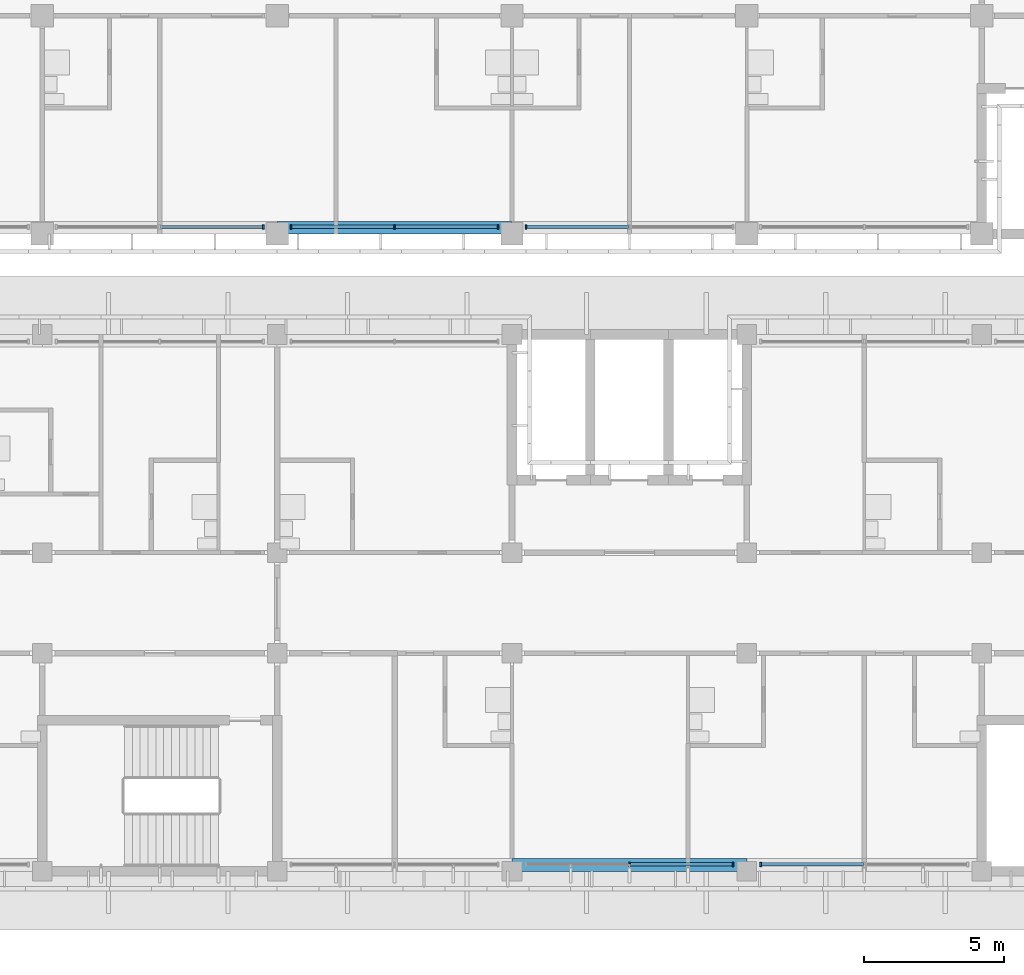
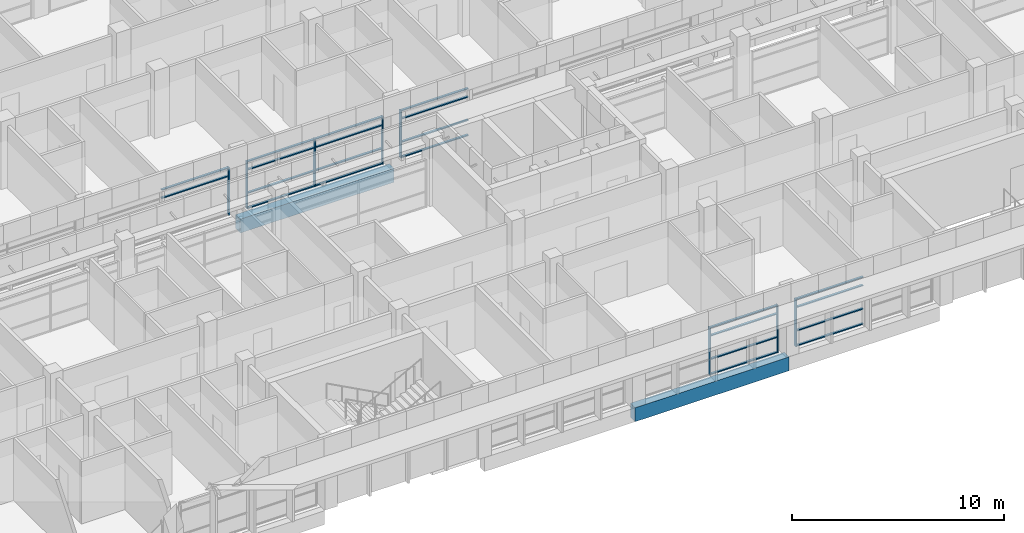
# One storey, part 13 of 71: 30 members, 2 beams, 5 elements without a shape of their own.
"""IFC4 building model written with IfcOpenShell, lengths in metres."""

from ifc_helpers import new_model, si_unit, direction, frame, origin, origin_2d, place, context, subcontext, project, spatial, rectangle, extrude, material, material_profile, profile_set, type_object, element, aggregate, save


model = new_model("IFC4")

# Units and contexts
model_context = context("Model", 3, precision=1e-05, world=origin(), true_north=direction((0.0, 1.0)))
body_context = subcontext(model_context, "Body", "Model", "MODEL_VIEW")
ifc_project = project(units=[si_unit("LENGTHUNIT", "METRE"), si_unit("AREAUNIT", "SQUARE_METRE"), si_unit("VOLUMEUNIT", "CUBIC_METRE"), si_unit("PLANEANGLEUNIT", "RADIAN"), si_unit("MASSUNIT", "GRAM", prefix="KILO")], contexts=[model_context])

# Site, building, storey
site_placement = place(None, origin())
site = spatial("IfcSite", under=ifc_project, at=site_placement, CompositionType="ELEMENT")
building_placement = place(site_placement, origin())
building = spatial("IfcBuilding", under=site, at=building_placement, Name="Bougainvillea Quay General Hospital", CompositionType="ELEMENT")
storey_placement = place(building_placement, frame((0.0, 0.0, 24.89990234375)))
storey = spatial("IfcBuildingStorey", under=building, at=storey_placement, Name="L05", CompositionType="ELEMENT", Elevation=24.89990234375)

# Curtain wall, member
ifc_material_1 = material(Name="Aluminium curtain wall system, powder-coated glazed", Category="aluminium")
curtain_wall_type = type_object("IfcCurtainWallType", Name="Unitised curtain wall CW-3730", PredefinedType="NOTDEFINED", material=ifc_material_1)
curtain_wall_1_placement = place(storey_placement, origin())
curtain_wall_1 = element("IfcCurtainWall", 1, at=curtain_wall_1_placement, inside=storey, type_object=curtain_wall_type, Name="CW-4200 05", PredefinedType="NOTDEFINED")
ifc_material_2 = material(Name="Aluminium mullion, powder-coated charcoal", Category="aluminium")
ifc_material_profile_1 = material_profile(ifc_material_2, rectangle(XDim=0.159912109375, YDim=0.06005859375, at=origin_2d()))
ifc_profile_set_1 = profile_set([ifc_material_profile_1], Name="Aluminium mullion, powder-coated charcoal")
member_type_1 = type_object("IfcMemberType", Name="Curtain wall mullion 160x60", PredefinedType="MULLION", material=ifc_profile_set_1)
member_1_placement = place(storey_placement, frame((125.5, 140.64990234375, 0.0), z_axis=(0.0, 0.0, 1.0), x_axis=(0.0, 1.0, 0.0)))
member_1 = element("IfcMember", 2, at=member_1_placement, type_object=member_type_1, Name="CW-4200 mullion 3", PredefinedType="MULLION", context=body_context, shape_type="SweptSolid", body=[
    extrude(rectangle(XDim=0.159912109375, YDim=0.06005859375, at=origin_2d()), origin(), (0.0, 0.0, 1.0), 2.75),
])

# Curtain wall, members
curtain_wall_2_placement = place(storey_placement, origin())
curtain_wall_2 = element("IfcCurtainWall", 3, at=curtain_wall_2_placement, inside=storey, type_object=curtain_wall_type, Name="CW-4200 06", PredefinedType="NOTDEFINED")
member_2_placement = place(storey_placement, frame((126.5, 140.64990234375, 0.0), z_axis=(0.0, 0.0, 1.0), x_axis=(0.0, 1.0, 0.0)))
member_2 = element("IfcMember", 4, at=member_2_placement, type_object=member_type_1, Name="CW-4200 mullion 1", PredefinedType="MULLION", context=body_context, shape_type="SweptSolid", body=[
    extrude(rectangle(XDim=0.159912109375, YDim=0.06005859375, at=origin_2d()), origin(), (0.0, 0.0, 1.0), 2.75),
])
member_3_placement = place(storey_placement, frame((130.199951171875, 140.64990234375, 0.0), z_axis=(0.0, 0.0, 1.0), x_axis=(0.0, 1.0, 0.0)))
member_3 = element("IfcMember", 5, at=member_3_placement, type_object=member_type_1, Name="CW-4200 mullion 2", PredefinedType="MULLION", context=body_context, shape_type="SweptSolid", body=[
    extrude(rectangle(XDim=0.159912109375, YDim=0.06005859375, at=origin_2d()), origin(), (0.0, 0.0, 1.0), 2.75),
])
member_4_placement = place(storey_placement, frame((133.89990234375, 140.64990234375, 0.0), z_axis=(0.0, 0.0, 1.0), x_axis=(0.0, 1.0, 0.0)))
member_4 = element("IfcMember", 6, at=member_4_placement, type_object=member_type_1, Name="CW-4200 mullion 3", PredefinedType="MULLION", context=body_context, shape_type="SweptSolid", body=[
    extrude(rectangle(XDim=0.159912109375, YDim=0.06005859375, at=origin_2d()), origin(), (0.0, 0.0, 1.0), 2.75),
])

# Curtain wall, member
curtain_wall_3_placement = place(storey_placement, origin())
curtain_wall_3 = element("IfcCurtainWall", 7, at=curtain_wall_3_placement, inside=storey, type_object=curtain_wall_type, Name="CW-4200 07", PredefinedType="NOTDEFINED")
member_5_placement = place(storey_placement, frame((134.89990234375, 140.64990234375, 0.0), z_axis=(0.0, 0.0, 1.0), x_axis=(0.0, 1.0, 0.0)))
member_5 = element("IfcMember", 8, at=member_5_placement, type_object=member_type_1, Name="CW-4200 mullion 1", PredefinedType="MULLION", context=body_context, shape_type="SweptSolid", body=[
    extrude(rectangle(XDim=0.159912109375, YDim=0.06005859375, at=origin_2d()), origin(), (0.0, 0.0, 1.0), 2.75),
])

# Curtain wall, members
curtain_wall_4_placement = place(storey_placement, origin())
curtain_wall_4 = element("IfcCurtainWall", 9, at=curtain_wall_4_placement, inside=storey, type_object=curtain_wall_type, Name="CW-4200 08", PredefinedType="NOTDEFINED")
member_6_placement = place(storey_placement, frame((138.60009765625, 117.85009765625, 0.0), z_axis=(0.0, 0.0, 1.0), x_axis=(0.0, 1.0, 0.0)))
member_6 = element("IfcMember", 10, at=member_6_placement, type_object=member_type_1, Name="CW-4200 mullion 2", PredefinedType="MULLION", context=body_context, shape_type="SweptSolid", body=[
    extrude(rectangle(XDim=0.159912109375, YDim=0.06005859375, at=origin_2d()), origin(), (0.0, 0.0, 1.0), 2.75),
])
member_7_placement = place(storey_placement, frame((142.300048828125, 117.85009765625, 0.0), z_axis=(0.0, 0.0, 1.0), x_axis=(0.0, 1.0, 0.0)))
member_7 = element("IfcMember", 11, at=member_7_placement, type_object=member_type_1, Name="CW-4200 mullion 3", PredefinedType="MULLION", context=body_context, shape_type="SweptSolid", body=[
    extrude(rectangle(XDim=0.159912109375, YDim=0.06005859375, at=origin_2d()), origin(), (0.0, 0.0, 1.0), 2.75),
])

# Curtain wall, member
curtain_wall_5_placement = place(storey_placement, origin())
curtain_wall_5 = element("IfcCurtainWall", 12, at=curtain_wall_5_placement, inside=storey, type_object=curtain_wall_type, Name="CW-4200 09", PredefinedType="NOTDEFINED")
member_8_placement = place(storey_placement, frame((143.300048828125, 117.85009765625, 0.0), z_axis=(0.0, 0.0, 1.0), x_axis=(0.0, 1.0, 0.0)))
member_8 = element("IfcMember", 13, at=member_8_placement, type_object=member_type_1, Name="CW-4200 mullion 1", PredefinedType="MULLION", context=body_context, shape_type="SweptSolid", body=[
    extrude(rectangle(XDim=0.159912109375, YDim=0.06005859375, at=origin_2d()), origin(), (0.0, 0.0, 1.0), 2.75),
])

# Member
ifc_material_3 = material(Name="Aluminium transom, powder-coated charcoal", Category="aluminium")
ifc_material_profile_2 = material_profile(ifc_material_3, rectangle(XDim=0.1201171875, YDim=0.06005859375, at=origin_2d()))
ifc_profile_set_2 = profile_set([ifc_material_profile_2], Name="Aluminium transom, powder-coated charcoal")
member_type_2 = type_object("IfcMemberType", Name="Curtain wall transom 120x60", PredefinedType="USERDEFINED", material=ifc_profile_set_2)
member_9_placement = place(storey_placement, frame((121.830078125, 140.64990234375, 2.25), z_axis=(1.0, 0.0, 0.0), x_axis=(0.0, 1.0, 0.0)))
member_9 = element("IfcMember", 14, at=member_9_placement, type_object=member_type_2, Name="CW-4200 transom 2.3", ObjectType="TRANSOM", PredefinedType="USERDEFINED", context=body_context, shape_type="SweptSolid", body=[
    extrude(rectangle(XDim=0.1201171875, YDim=0.06005859375, at=origin_2d()), origin(), (0.0, 0.0, 1.0), 3.639892578125),
])

member_10_placement = place(storey_placement, frame((121.830078125, 140.64990234375, 2.72021484375), z_axis=(1.0, 0.0, 0.0), x_axis=(0.0, 1.0, 0.0)))
member_10 = element("IfcMember", 15, at=member_10_placement, type_object=member_type_2, Name="CW-4200 transom 2.4", ObjectType="TRANSOM", PredefinedType="USERDEFINED", context=body_context, shape_type="SweptSolid", body=[
    extrude(rectangle(XDim=0.1201171875, YDim=0.06005859375, at=origin_2d()), origin(), (0.0, 0.0, 1.0), 3.639892578125),
])

aggregate(curtain_wall_1, [member_1, member_9, member_10])

member_11_placement = place(storey_placement, frame((126.530029296875, 140.64990234375, 0.030029296875), z_axis=(1.0, 0.0, 0.0), x_axis=(0.0, 1.0, 0.0)))
member_11 = element("IfcMember", 16, at=member_11_placement, type_object=member_type_2, Name="CW-4200 transom 1.1", ObjectType="TRANSOM", PredefinedType="USERDEFINED", context=body_context, shape_type="SweptSolid", body=[
    extrude(rectangle(XDim=0.1201171875, YDim=0.06005859375, at=origin_2d()), origin(), (0.0, 0.0, 1.0), 3.639892578125),
])

member_12_placement = place(storey_placement, frame((126.530029296875, 140.64990234375, 0.900146484375), z_axis=(1.0, 0.0, 0.0), x_axis=(0.0, 1.0, 0.0)))
member_12 = element("IfcMember", 17, at=member_12_placement, type_object=member_type_2, Name="CW-4200 transom 1.2", ObjectType="TRANSOM", PredefinedType="USERDEFINED", context=body_context, shape_type="SweptSolid", body=[
    extrude(rectangle(XDim=0.1201171875, YDim=0.06005859375, at=origin_2d()), origin(), (0.0, 0.0, 1.0), 3.639892578125),
])

member_13_placement = place(storey_placement, frame((126.530029296875, 140.64990234375, 2.25), z_axis=(1.0, 0.0, 0.0), x_axis=(0.0, 1.0, 0.0)))
member_13 = element("IfcMember", 18, at=member_13_placement, type_object=member_type_2, Name="CW-4200 transom 1.3", ObjectType="TRANSOM", PredefinedType="USERDEFINED", context=body_context, shape_type="SweptSolid", body=[
    extrude(rectangle(XDim=0.1201171875, YDim=0.06005859375, at=origin_2d()), origin(), (0.0, 0.0, 1.0), 3.639892578125),
])

member_14_placement = place(storey_placement, frame((126.530029296875, 140.64990234375, 2.72021484375), z_axis=(1.0, 0.0, 0.0), x_axis=(0.0, 1.0, 0.0)))
member_14 = element("IfcMember", 19, at=member_14_placement, type_object=member_type_2, Name="CW-4200 transom 1.4", ObjectType="TRANSOM", PredefinedType="USERDEFINED", context=body_context, shape_type="SweptSolid", body=[
    extrude(rectangle(XDim=0.1201171875, YDim=0.06005859375, at=origin_2d()), origin(), (0.0, 0.0, 1.0), 3.639892578125),
])

member_15_placement = place(storey_placement, frame((130.22998046875, 140.64990234375, 0.030029296875), z_axis=(1.0, 0.0, 0.0), x_axis=(0.0, 1.0, 0.0)))
member_15 = element("IfcMember", 20, at=member_15_placement, type_object=member_type_2, Name="CW-4200 transom 2.1", ObjectType="TRANSOM", PredefinedType="USERDEFINED", context=body_context, shape_type="SweptSolid", body=[
    extrude(rectangle(XDim=0.1201171875, YDim=0.06005859375, at=origin_2d()), origin(), (0.0, 0.0, 1.0), 3.64013671875),
])

member_16_placement = place(storey_placement, frame((130.22998046875, 140.64990234375, 0.900146484375), z_axis=(1.0, 0.0, 0.0), x_axis=(0.0, 1.0, 0.0)))
member_16 = element("IfcMember", 21, at=member_16_placement, type_object=member_type_2, Name="CW-4200 transom 2.2", ObjectType="TRANSOM", PredefinedType="USERDEFINED", context=body_context, shape_type="SweptSolid", body=[
    extrude(rectangle(XDim=0.1201171875, YDim=0.06005859375, at=origin_2d()), origin(), (0.0, 0.0, 1.0), 3.64013671875),
])

member_17_placement = place(storey_placement, frame((130.22998046875, 140.64990234375, 2.25), z_axis=(1.0, 0.0, 0.0), x_axis=(0.0, 1.0, 0.0)))
member_17 = element("IfcMember", 22, at=member_17_placement, type_object=member_type_2, Name="CW-4200 transom 2.3", ObjectType="TRANSOM", PredefinedType="USERDEFINED", context=body_context, shape_type="SweptSolid", body=[
    extrude(rectangle(XDim=0.1201171875, YDim=0.06005859375, at=origin_2d()), origin(), (0.0, 0.0, 1.0), 3.64013671875),
])

member_18_placement = place(storey_placement, frame((130.22998046875, 140.64990234375, 2.72021484375), z_axis=(1.0, 0.0, 0.0), x_axis=(0.0, 1.0, 0.0)))
member_18 = element("IfcMember", 23, at=member_18_placement, type_object=member_type_2, Name="CW-4200 transom 2.4", ObjectType="TRANSOM", PredefinedType="USERDEFINED", context=body_context, shape_type="SweptSolid", body=[
    extrude(rectangle(XDim=0.1201171875, YDim=0.06005859375, at=origin_2d()), origin(), (0.0, 0.0, 1.0), 3.64013671875),
])

aggregate(curtain_wall_2, [member_2, member_3, member_4, member_11, member_12, member_13, member_14, member_15, member_16, member_17, member_18])

member_19_placement = place(storey_placement, frame((134.929931640625, 140.64990234375, 0.030029296875), z_axis=(1.0, 0.0, 0.0), x_axis=(0.0, 1.0, 0.0)))
member_19 = element("IfcMember", 24, at=member_19_placement, type_object=member_type_2, Name="CW-4200 transom 1.1", ObjectType="TRANSOM", PredefinedType="USERDEFINED", context=body_context, shape_type="SweptSolid", body=[
    extrude(rectangle(XDim=0.1201171875, YDim=0.06005859375, at=origin_2d()), origin(), (0.0, 0.0, 1.0), 3.64013671875),
])

member_20_placement = place(storey_placement, frame((134.929931640625, 140.64990234375, 0.900146484375), z_axis=(1.0, 0.0, 0.0), x_axis=(0.0, 1.0, 0.0)))
member_20 = element("IfcMember", 25, at=member_20_placement, type_object=member_type_2, Name="CW-4200 transom 1.2", ObjectType="TRANSOM", PredefinedType="USERDEFINED", context=body_context, shape_type="SweptSolid", body=[
    extrude(rectangle(XDim=0.1201171875, YDim=0.06005859375, at=origin_2d()), origin(), (0.0, 0.0, 1.0), 3.64013671875),
])

member_21_placement = place(storey_placement, frame((134.929931640625, 140.64990234375, 2.25), z_axis=(1.0, 0.0, 0.0), x_axis=(0.0, 1.0, 0.0)))
member_21 = element("IfcMember", 26, at=member_21_placement, type_object=member_type_2, Name="CW-4200 transom 1.3", ObjectType="TRANSOM", PredefinedType="USERDEFINED", context=body_context, shape_type="SweptSolid", body=[
    extrude(rectangle(XDim=0.1201171875, YDim=0.06005859375, at=origin_2d()), origin(), (0.0, 0.0, 1.0), 3.64013671875),
])

member_22_placement = place(storey_placement, frame((134.929931640625, 140.64990234375, 2.72021484375), z_axis=(1.0, 0.0, 0.0), x_axis=(0.0, 1.0, 0.0)))
member_22 = element("IfcMember", 27, at=member_22_placement, type_object=member_type_2, Name="CW-4200 transom 1.4", ObjectType="TRANSOM", PredefinedType="USERDEFINED", context=body_context, shape_type="SweptSolid", body=[
    extrude(rectangle(XDim=0.1201171875, YDim=0.06005859375, at=origin_2d()), origin(), (0.0, 0.0, 1.0), 3.64013671875),
])

aggregate(curtain_wall_3, [member_5, member_19, member_20, member_21, member_22])

member_23_placement = place(storey_placement, frame((138.6298828125, 117.85009765625, 0.030029296875), z_axis=(1.0, 0.0, 0.0), x_axis=(0.0, 1.0, 0.0)))
member_23 = element("IfcMember", 28, at=member_23_placement, type_object=member_type_2, Name="CW-4200 transom 2.1", ObjectType="TRANSOM", PredefinedType="USERDEFINED", context=body_context, shape_type="SweptSolid", body=[
    extrude(rectangle(XDim=0.1201171875, YDim=0.06005859375, at=origin_2d()), origin(), (0.0, 0.0, 1.0), 3.64013671875),
])

member_24_placement = place(storey_placement, frame((138.6298828125, 117.85009765625, 0.900146484375), z_axis=(1.0, 0.0, 0.0), x_axis=(0.0, 1.0, 0.0)))
member_24 = element("IfcMember", 29, at=member_24_placement, type_object=member_type_2, Name="CW-4200 transom 2.2", ObjectType="TRANSOM", PredefinedType="USERDEFINED", context=body_context, shape_type="SweptSolid", body=[
    extrude(rectangle(XDim=0.1201171875, YDim=0.06005859375, at=origin_2d()), origin(), (0.0, 0.0, 1.0), 3.64013671875),
])

member_25_placement = place(storey_placement, frame((138.6298828125, 117.85009765625, 2.25), z_axis=(1.0, 0.0, 0.0), x_axis=(0.0, 1.0, 0.0)))
member_25 = element("IfcMember", 30, at=member_25_placement, type_object=member_type_2, Name="CW-4200 transom 2.3", ObjectType="TRANSOM", PredefinedType="USERDEFINED", context=body_context, shape_type="SweptSolid", body=[
    extrude(rectangle(XDim=0.1201171875, YDim=0.06005859375, at=origin_2d()), origin(), (0.0, 0.0, 1.0), 3.64013671875),
])

member_26_placement = place(storey_placement, frame((138.6298828125, 117.85009765625, 2.72021484375), z_axis=(1.0, 0.0, 0.0), x_axis=(0.0, 1.0, 0.0)))
member_26 = element("IfcMember", 31, at=member_26_placement, type_object=member_type_2, Name="CW-4200 transom 2.4", ObjectType="TRANSOM", PredefinedType="USERDEFINED", context=body_context, shape_type="SweptSolid", body=[
    extrude(rectangle(XDim=0.1201171875, YDim=0.06005859375, at=origin_2d()), origin(), (0.0, 0.0, 1.0), 3.64013671875),
])

aggregate(curtain_wall_4, [member_6, member_7, member_23, member_24, member_25, member_26])

member_27_placement = place(storey_placement, frame((143.330078125, 117.85009765625, 0.030029296875), z_axis=(1.0, 0.0, 0.0), x_axis=(0.0, 1.0, 0.0)))
member_27 = element("IfcMember", 32, at=member_27_placement, type_object=member_type_2, Name="CW-4200 transom 1.1", ObjectType="TRANSOM", PredefinedType="USERDEFINED", context=body_context, shape_type="SweptSolid", body=[
    extrude(rectangle(XDim=0.1201171875, YDim=0.06005859375, at=origin_2d()), origin(), (0.0, 0.0, 1.0), 3.639892578125),
])

member_28_placement = place(storey_placement, frame((143.330078125, 117.85009765625, 0.900146484375), z_axis=(1.0, 0.0, 0.0), x_axis=(0.0, 1.0, 0.0)))
member_28 = element("IfcMember", 33, at=member_28_placement, type_object=member_type_2, Name="CW-4200 transom 1.2", ObjectType="TRANSOM", PredefinedType="USERDEFINED", context=body_context, shape_type="SweptSolid", body=[
    extrude(rectangle(XDim=0.1201171875, YDim=0.06005859375, at=origin_2d()), origin(), (0.0, 0.0, 1.0), 3.639892578125),
])

member_29_placement = place(storey_placement, frame((143.330078125, 117.85009765625, 2.25), z_axis=(1.0, 0.0, 0.0), x_axis=(0.0, 1.0, 0.0)))
member_29 = element("IfcMember", 34, at=member_29_placement, type_object=member_type_2, Name="CW-4200 transom 1.3", ObjectType="TRANSOM", PredefinedType="USERDEFINED", context=body_context, shape_type="SweptSolid", body=[
    extrude(rectangle(XDim=0.1201171875, YDim=0.06005859375, at=origin_2d()), origin(), (0.0, 0.0, 1.0), 3.639892578125),
])

member_30_placement = place(storey_placement, frame((143.330078125, 117.85009765625, 2.72021484375), z_axis=(1.0, 0.0, 0.0), x_axis=(0.0, 1.0, 0.0)))
member_30 = element("IfcMember", 35, at=member_30_placement, type_object=member_type_2, Name="CW-4200 transom 1.4", ObjectType="TRANSOM", PredefinedType="USERDEFINED", context=body_context, shape_type="SweptSolid", body=[
    extrude(rectangle(XDim=0.1201171875, YDim=0.06005859375, at=origin_2d()), origin(), (0.0, 0.0, 1.0), 3.639892578125),
])

aggregate(curtain_wall_5, [member_8, member_27, member_28, member_29, member_30])

# Beams
ifc_material_4 = material(Name="Concrete C40", Category="concrete")
ifc_material_profile_3 = material_profile(ifc_material_4, rectangle(XDim=0.449951171875, YDim=0.800048828125, at=origin_2d()))
ifc_profile_set_3 = profile_set([ifc_material_profile_3], Name="Concrete C40")
beam_type = type_object("IfcBeamType", Name="RC BEAM 450x800 C40", PredefinedType="BEAM", material=ifc_profile_set_3)
beam_1_placement = place(storey_placement, frame((126.0, 140.625, -0.699951171875), z_axis=(1.0, 0.0, 0.0), x_axis=(0.0, 1.0, 0.0)))
element("IfcBeam", 36, at=beam_1_placement, inside=storey, type_object=beam_type, Name="Edge beam L05", PredefinedType="BEAM", context=body_context, shape_type="SweptSolid", body=[
    extrude(rectangle(XDim=0.449951171875, YDim=0.800048828125, at=origin_2d()), origin(), (0.0, 0.0, 1.0), 8.39990234375),
])
beam_2_placement = place(storey_placement, frame((134.39990234375, 117.824951171875, -0.699951171875), z_axis=(1.0, 0.0, 0.0), x_axis=(0.0, 1.0, 0.0)))
element("IfcBeam", 37, at=beam_2_placement, inside=storey, type_object=beam_type, Name="Edge beam L05", PredefinedType="BEAM", context=body_context, shape_type="SweptSolid", body=[
    extrude(rectangle(XDim=0.449951171875, YDim=0.800048828125, at=origin_2d()), origin(), (0.0, 0.0, 1.0), 8.400146484375),
])

save(model, "model.ifc")
